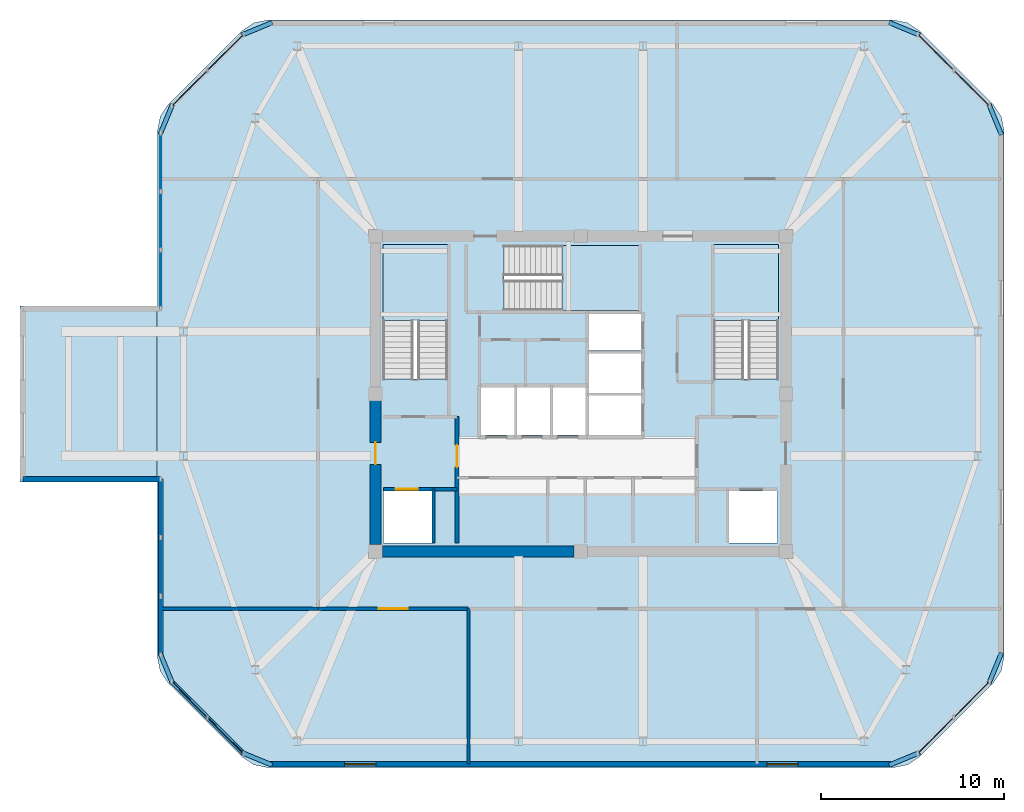
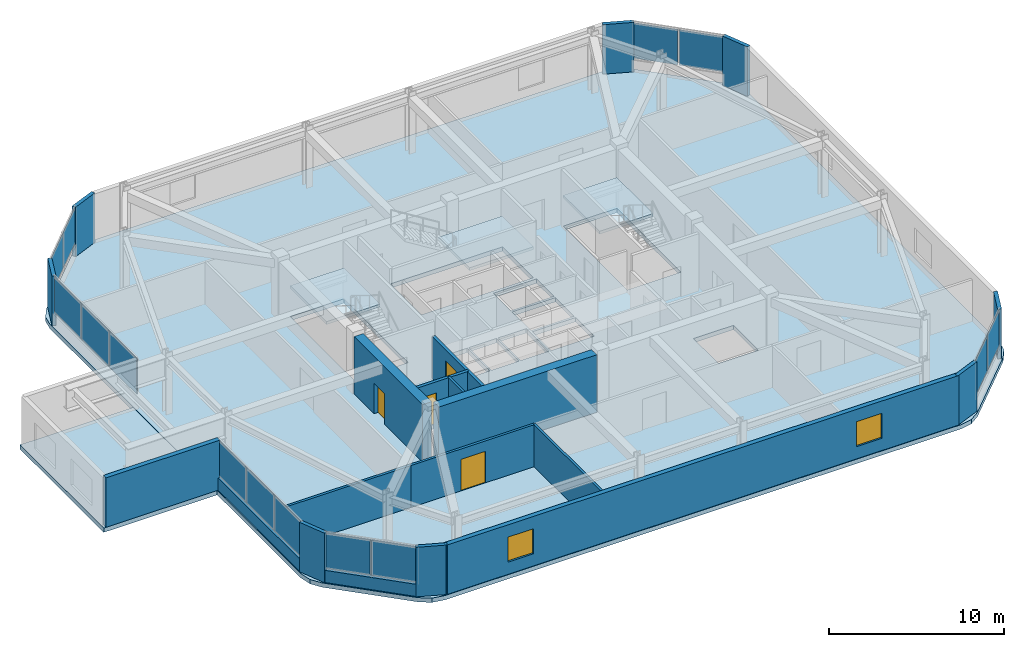
# One storey, part 5 of 9: 22 plates, 12 walls, 5 slabs, 4 doors, 2 windows, 6 openings, 9 elements without a shape of their own.
"""IFC4 building model written with IfcOpenShell, lengths in metres."""

from ifc_helpers import new_model, si_unit, derived_unit, direction, frame, frame_2d, origin, origin_2d, place, context, subcontext, project, spatial, polyline, rectangle, outline, extrude, material, layer, layer_set, type_object, element, fill, aggregate, save


model = new_model("IFC4")

# Units and contexts
model_context = context("Model", 3, precision=1e-05, world=origin(), true_north=direction((0.0, 1.0)))
body_context = subcontext(model_context, "Body", "Model", "MODEL_VIEW")
ifc_project = project(units=[si_unit("LENGTHUNIT", "METRE"), si_unit("AREAUNIT", "SQUARE_METRE"), si_unit("VOLUMEUNIT", "CUBIC_METRE"), si_unit("PLANEANGLEUNIT", "RADIAN"), si_unit("MASSUNIT", "GRAM", prefix="KILO"), derived_unit("THERMALTRANSMITTANCEUNIT", [(si_unit("POWERUNIT", "WATT"), 1), (si_unit("LENGTHUNIT", "METRE"), -2), (si_unit("THERMODYNAMICTEMPERATUREUNIT", "KELVIN"), -1)])], contexts=[model_context])

# Site, building, storey
site_placement = place(None, origin())
site = spatial("IfcSite", under=ifc_project, at=site_placement, CompositionType="ELEMENT")
building_placement = place(site_placement, origin())
building = spatial("IfcBuilding", under=site, at=building_placement, Name="Koralith Skygarden Medical Center", CompositionType="ELEMENT")
storey_placement = place(building_placement, frame((0.0, 0.0, 290.340087890625)))
storey = spatial("IfcBuildingStorey", under=building, at=storey_placement, Name="L75", CompositionType="ELEMENT", Elevation=290.340087890625)

# Curtain wall, plates
ifc_material_1 = material(Name="Clear Laminated Glass", Category="glass")
curtain_wall_type = type_object("IfcCurtainWallType", Name="CW-8 Crown Lookout Low-Iron Curtain Wall", PredefinedType="NOTDEFINED", material=ifc_material_1)
curtain_wall_1_placement = place(storey_placement, origin())
curtain_wall_1 = element("IfcCurtainWall", 1, at=curtain_wall_1_placement, inside=storey, type_object=curtain_wall_type, Name="Curtain Wall CW-L75-SE", PredefinedType="NOTDEFINED")
ifc_layer_1 = layer(ifc_material_1, 0.0439453125)
ifc_layer_set_1 = layer_set([ifc_layer_1], Name="Clear Laminated Glass")
plate_type_1 = type_object("IfcPlateType", Name="CW-8 Hurricane Laminated IGU Panel 44", PredefinedType="CURTAIN_PANEL", material=ifc_layer_set_1)
plate_1_placement = place(storey_placement, frame((56.376953125, 7.261962890625, 0.919921875), z_axis=(0.0, 0.0, 1.0), x_axis=(0.707106781187, 0.707106781187, 0.0)))
plate_1 = element("IfcPlate", 2, at=plate_1_placement, type_object=plate_type_1, Name="CW-L75-SE Glazed Panel 1", PredefinedType="CURTAIN_PANEL", context=body_context, shape_type="SweptSolid", body=[
    extrude(rectangle(XDim=2.68408203125, YDim=0.0439453125, at=origin_2d()), origin(), (0.0, 0.0, 1.0), 2.469970703125),
])
plate_2_placement = place(storey_placement, frame((58.337890625, 9.222900390625, 0.919921875), z_axis=(0.0, 0.0, 1.0), x_axis=(0.707106781187, 0.707106781187, 0.0)))
plate_2 = element("IfcPlate", 3, at=plate_2_placement, type_object=plate_type_1, Name="CW-L75-SE Glazed Panel 2", PredefinedType="CURTAIN_PANEL", context=body_context, shape_type="SweptSolid", body=[
    extrude(rectangle(XDim=2.68408203125, YDim=0.0439453125, at=origin_2d()), origin(), (0.0, 0.0, 1.0), 2.469970703125),
])
aggregate(curtain_wall_1, [plate_1, plate_2])

curtain_wall_2_placement = place(storey_placement, origin())
curtain_wall_2 = element("IfcCurtainWall", 4, at=curtain_wall_2_placement, inside=storey, type_object=curtain_wall_type, Name="Curtain Wall CW-L75-NE", PredefinedType="NOTDEFINED")
plate_3_placement = place(storey_placement, frame((58.337890625, 42.576904296875, 0.919921875), z_axis=(0.0, 0.0, 1.0), x_axis=(-0.707106781187, 0.707106781187, 0.0)))
plate_3 = element("IfcPlate", 5, at=plate_3_placement, type_object=plate_type_1, Name="CW-L75-NE Glazed Panel 1", PredefinedType="CURTAIN_PANEL", context=body_context, shape_type="SweptSolid", body=[
    extrude(rectangle(XDim=2.68408203125, YDim=0.0439453125, at=origin_2d()), origin(), (0.0, 0.0, 1.0), 2.469970703125),
])
plate_4_placement = place(storey_placement, frame((56.376953125, 44.5380859375, 0.919921875), z_axis=(0.0, 0.0, 1.0), x_axis=(-0.707106781187, 0.707106781187, 0.0)))
plate_4 = element("IfcPlate", 6, at=plate_4_placement, type_object=plate_type_1, Name="CW-L75-NE Glazed Panel 2", PredefinedType="CURTAIN_PANEL", context=body_context, shape_type="SweptSolid", body=[
    extrude(rectangle(XDim=2.68408203125, YDim=0.0439453125, at=origin_2d()), origin(), (0.0, 0.0, 1.0), 2.469970703125),
])
aggregate(curtain_wall_2, [plate_3, plate_4])

curtain_wall_3_placement = place(storey_placement, origin())
curtain_wall_3 = element("IfcCurtainWall", 7, at=curtain_wall_3_placement, inside=storey, type_object=curtain_wall_type, Name="Curtain Wall CW-L75-NW", PredefinedType="NOTDEFINED")
plate_5_placement = place(storey_placement, frame((17.623046875, 44.5380859375, 0.919921875), z_axis=(0.0, 0.0, 1.0), x_axis=(-0.707106781187, -0.707106781187, 0.0)))
plate_5 = element("IfcPlate", 8, at=plate_5_placement, type_object=plate_type_1, Name="CW-L75-NW Glazed Panel 1", PredefinedType="CURTAIN_PANEL", context=body_context, shape_type="SweptSolid", body=[
    extrude(rectangle(XDim=2.68408203125, YDim=0.0439453125, at=origin_2d()), origin(), (0.0, 0.0, 1.0), 2.469970703125),
])
plate_6_placement = place(storey_placement, frame((15.662109375, 42.576904296875, 0.919921875), z_axis=(0.0, 0.0, 1.0), x_axis=(-0.707106781187, -0.707106781187, 0.0)))
plate_6 = element("IfcPlate", 9, at=plate_6_placement, type_object=plate_type_1, Name="CW-L75-NW Glazed Panel 2", PredefinedType="CURTAIN_PANEL", context=body_context, shape_type="SweptSolid", body=[
    extrude(rectangle(XDim=2.68408203125, YDim=0.0439453125, at=origin_2d()), origin(), (0.0, 0.0, 1.0), 2.469970703125),
])
aggregate(curtain_wall_3, [plate_5, plate_6])

curtain_wall_4_placement = place(storey_placement, origin())
curtain_wall_4 = element("IfcCurtainWall", 10, at=curtain_wall_4_placement, inside=storey, type_object=curtain_wall_type, Name="Curtain Wall CW-L75-W-N", PredefinedType="NOTDEFINED")
plate_7_placement = place(storey_placement, frame((14.080078125, 38.5458984375, 0.919921875), z_axis=(0.0, 0.0, 1.0), x_axis=(0.0, -1.0, 0.0)))
plate_7 = element("IfcPlate", 11, at=plate_7_placement, type_object=plate_type_1, Name="CW-L75-W-N Glazed Panel 1", PredefinedType="CURTAIN_PANEL", context=body_context, shape_type="SweptSolid", body=[
    extrude(rectangle(XDim=3.10791015625, YDim=0.0439453125, at=origin_2d()), origin(), (0.0, 0.0, 1.0), 2.469970703125),
])
plate_8_placement = place(storey_placement, frame((14.080078125, 35.347900390625, 0.919921875), z_axis=(0.0, 0.0, 1.0), x_axis=(0.0, -1.0, 0.0)))
plate_8 = element("IfcPlate", 12, at=plate_8_placement, type_object=plate_type_1, Name="CW-L75-W-N Glazed Panel 2", PredefinedType="CURTAIN_PANEL", context=body_context, shape_type="SweptSolid", body=[
    extrude(rectangle(XDim=3.10791015625, YDim=0.0439453125, at=origin_2d()), origin(), (0.0, 0.0, 1.0), 2.469970703125),
])
plate_9_placement = place(storey_placement, frame((14.080078125, 32.14892578125, 0.919921875), z_axis=(0.0, 0.0, 1.0), x_axis=(0.0, -1.0, 0.0)))
plate_9 = element("IfcPlate", 13, at=plate_9_placement, type_object=plate_type_1, Name="CW-L75-W-N Glazed Panel 3", PredefinedType="CURTAIN_PANEL", context=body_context, shape_type="SweptSolid", body=[
    extrude(rectangle(XDim=3.10791015625, YDim=0.0439453125, at=origin_2d()), origin(), (0.0, 0.0, 1.0), 2.469970703125),
])
aggregate(curtain_wall_4, [plate_7, plate_8, plate_9])

curtain_wall_5_placement = place(storey_placement, origin())
curtain_wall_5 = element("IfcCurtainWall", 14, at=curtain_wall_5_placement, inside=storey, type_object=curtain_wall_type, Name="Curtain Wall CW-L75-W-S", PredefinedType="NOTDEFINED")
plate_10_placement = place(storey_placement, frame((14.080078125, 19.65087890625, 0.919921875), z_axis=(0.0, 0.0, 1.0), x_axis=(0.0, -1.0, 0.0)))
plate_10 = element("IfcPlate", 15, at=plate_10_placement, type_object=plate_type_1, Name="CW-L75-W-S Glazed Panel 1", PredefinedType="CURTAIN_PANEL", context=body_context, shape_type="SweptSolid", body=[
    extrude(rectangle(XDim=3.10791015625, YDim=0.0439453125, at=origin_2d()), origin(), (0.0, 0.0, 1.0), 2.469970703125),
])
plate_11_placement = place(storey_placement, frame((14.080078125, 16.452880859375, 0.919921875), z_axis=(0.0, 0.0, 1.0), x_axis=(0.0, -1.0, 0.0)))
plate_11 = element("IfcPlate", 16, at=plate_11_placement, type_object=plate_type_1, Name="CW-L75-W-S Glazed Panel 2", PredefinedType="CURTAIN_PANEL", context=body_context, shape_type="SweptSolid", body=[
    extrude(rectangle(XDim=3.10791015625, YDim=0.0439453125, at=origin_2d()), origin(), (0.0, 0.0, 1.0), 2.469970703125),
])
plate_12_placement = place(storey_placement, frame((14.080078125, 13.25390625, 0.919921875), z_axis=(0.0, 0.0, 1.0), x_axis=(0.0, -1.0, 0.0)))
plate_12 = element("IfcPlate", 17, at=plate_12_placement, type_object=plate_type_1, Name="CW-L75-W-S Glazed Panel 3", PredefinedType="CURTAIN_PANEL", context=body_context, shape_type="SweptSolid", body=[
    extrude(rectangle(XDim=3.10791015625, YDim=0.0439453125, at=origin_2d()), origin(), (0.0, 0.0, 1.0), 2.469970703125),
])
aggregate(curtain_wall_5, [plate_10, plate_11, plate_12])

curtain_wall_6_placement = place(storey_placement, origin())
curtain_wall_6 = element("IfcCurtainWall", 18, at=curtain_wall_6_placement, inside=storey, type_object=curtain_wall_type, Name="Curtain Wall CW-L75-SW", PredefinedType="NOTDEFINED")
plate_13_placement = place(storey_placement, frame((15.662109375, 9.222900390625, 0.919921875), z_axis=(0.0, 0.0, 1.0), x_axis=(0.707106781187, -0.707106781187, 0.0)))
plate_13 = element("IfcPlate", 19, at=plate_13_placement, type_object=plate_type_1, Name="CW-L75-SW Glazed Panel 1", PredefinedType="CURTAIN_PANEL", context=body_context, shape_type="SweptSolid", body=[
    extrude(rectangle(XDim=2.68408203125, YDim=0.0439453125, at=origin_2d()), origin(), (0.0, 0.0, 1.0), 2.469970703125),
])
plate_14_placement = place(storey_placement, frame((17.623046875, 7.261962890625, 0.919921875), z_axis=(0.0, 0.0, 1.0), x_axis=(0.707106781187, -0.707106781187, 0.0)))
plate_14 = element("IfcPlate", 20, at=plate_14_placement, type_object=plate_type_1, Name="CW-L75-SW Glazed Panel 2", PredefinedType="CURTAIN_PANEL", context=body_context, shape_type="SweptSolid", body=[
    extrude(rectangle(XDim=2.68408203125, YDim=0.0439453125, at=origin_2d()), origin(), (0.0, 0.0, 1.0), 2.469970703125),
])
aggregate(curtain_wall_6, [plate_13, plate_14])

# Stair, slab
ifc_material_2 = material(Name="Concrete C45/55", Category="concrete")
stair_type = type_object("IfcStairType", Name="Core Exit Dogleg Concrete Stair", PredefinedType="HALF_TURN_STAIR", material=ifc_material_2)
stair_1_placement = place(storey_placement, origin())
stair_1 = element("IfcStair", 21, at=stair_1_placement, inside=storey, type_object=stair_type, Name="L75 Smokeproof Exit Stair ST1", PredefinedType="HALF_TURN_STAIR")
ifc_layer_2 = layer(ifc_material_2, 0.199951171875)
ifc_layer_set_2 = layer_set([ifc_layer_2], Name="Concrete C45/55")
slab_type_1 = type_object("IfcSlabType", Name="Core Exit Concrete Stair Landing 200", PredefinedType="LANDING", material=ifc_layer_set_2)
slab_1_placement = place(storey_placement, frame((0.0, 0.0, 1.9599609375)))
slab_1 = element("IfcSlab", 22, at=slab_1_placement, type_object=slab_type_1, Name="ST1 landing 1", PredefinedType="LANDING", context=body_context, shape_type="SweptSolid", body=[
    extrude(outline(polyline([(29.75, 29.889892578125), (29.75, 34.050048828125), (26.199951171875, 34.050048828125), (26.199951171875, 29.889892578125), (29.75, 29.889892578125)])), origin(), (0.0, 0.0, 1.0), 0.199951171875),
])
aggregate(stair_1, [slab_1])

stair_2_placement = place(storey_placement, origin())
stair_2 = element("IfcStair", 23, at=stair_2_placement, inside=storey, type_object=stair_type, Name="L75 Smokeproof Exit Stair ST2", PredefinedType="HALF_TURN_STAIR")
slab_2_placement = place(storey_placement, frame((0.0, 0.0, 1.9599609375)))
slab_2 = element("IfcSlab", 24, at=slab_2_placement, type_object=slab_type_1, Name="ST2 landing 1", PredefinedType="LANDING", context=body_context, shape_type="SweptSolid", body=[
    extrude(outline(polyline([(47.800048828125, 29.889892578125), (47.800048828125, 34.050048828125), (44.25, 34.050048828125), (44.25, 29.889892578125), (47.800048828125, 29.889892578125)])), origin(), (0.0, 0.0, 1.0), 0.199951171875),
])
aggregate(stair_2, [slab_2])

stair_3_placement = place(storey_placement, origin())
stair_3 = element("IfcStair", 25, at=stair_3_placement, inside=storey, type_object=stair_type, Name="L75 Smokeproof Exit Stair ST3", PredefinedType="HALF_TURN_STAIR")
slab_3_placement = place(storey_placement, frame((0.0, 0.0, 1.9599609375)))
slab_3 = element("IfcSlab", 26, at=slab_3_placement, type_object=slab_type_1, Name="ST3 landing 1", PredefinedType="LANDING", context=body_context, shape_type="SweptSolid", body=[
    extrude(outline(polyline([(35.989990234375, 30.449951171875), (40.199951171875, 30.449951171875), (40.199951171875, 34.0), (35.989990234375, 34.0), (35.989990234375, 30.449951171875)])), origin(), (0.0, 0.0, 1.0), 0.199951171875),
])
aggregate(stair_3, [slab_3])

# Slabs
ifc_layer_3 = layer(ifc_material_2, 0.300048828125)
ifc_layer_set_3 = layer_set([ifc_layer_3], Name="Concrete C45/55")
slab_type_2 = type_object("IfcSlabType", Name="Podium & Diagnostic Stiffened Slab 300", PredefinedType="FLOOR", material=ifc_layer_set_3)
slab_4_placement = place(storey_placement, frame((0.0, 0.0, -0.300048828125)))
element("IfcSlab", 27, at=slab_4_placement, inside=storey, type_object=slab_type_2, Name="Level L75 Structural Floor Slab", PredefinedType="FLOOR", context=body_context, shape_type="SweptSolid", body=[
    extrude(outline(polyline([(18.513916015625, 6.0859375), (19.1630859375, 5.652099609375), (19.927978515625, 5.5), (54.072021484375, 5.5), (54.8369140625, 5.652099609375), (55.486083984375, 6.0859375), (59.513916015625, 10.114013671875), (59.947998046875, 10.762939453125), (60.10009765625, 11.528076171875), (60.10009765625, 40.27197265625), (59.947998046875, 41.037109375), (59.513916015625, 41.68603515625), (55.486083984375, 45.714111328125), (54.8369140625, 46.14794921875), (54.072021484375, 46.300048828125), (19.927978515625, 46.300048828125), (19.1630859375, 46.14794921875), (18.513916015625, 45.714111328125), (14.486083984375, 41.68603515625), (14.052001953125, 41.037109375), (13.89990234375, 40.27197265625), (13.89990234375, 11.528076171875), (14.052001953125, 10.762939453125), (14.486083984375, 10.114013671875), (18.513916015625, 6.0859375)]), holes=[polyline([(26.199951171875, 26.705078125), (29.75, 26.705078125), (29.75, 34.050048828125), (26.199951171875, 34.050048828125), (26.199951171875, 26.705078125)]), polyline([(44.25, 26.705078125), (47.800048828125, 26.705078125), (47.800048828125, 34.050048828125), (44.25, 34.050048828125), (44.25, 26.705078125)]), polyline([(32.804931640625, 30.449951171875), (40.199951171875, 30.449951171875), (40.199951171875, 34.0), (32.804931640625, 34.0), (32.804931640625, 30.449951171875)]), polyline([(26.25, 17.75), (28.89990234375, 17.75), (28.89990234375, 20.60009765625), (26.25, 20.60009765625), (26.25, 17.75)]), polyline([(45.10009765625, 17.75), (47.75, 17.75), (47.75, 20.60009765625), (45.10009765625, 20.60009765625), (45.10009765625, 17.75)]), polyline([(31.550048828125, 23.64990234375), (33.39990234375, 23.64990234375), (33.39990234375, 26.25), (31.550048828125, 26.25), (31.550048828125, 23.64990234375)]), polyline([(33.5, 23.64990234375), (35.35009765625, 23.64990234375), (35.35009765625, 26.25), (33.5, 26.25), (33.5, 23.64990234375)]), polyline([(35.449951171875, 23.64990234375), (37.300048828125, 23.64990234375), (37.300048828125, 26.25), (35.449951171875, 26.25), (35.449951171875, 23.64990234375)]), polyline([(37.449951171875, 23.64990234375), (40.300048828125, 23.64990234375), (40.300048828125, 25.800048828125), (37.449951171875, 25.800048828125), (37.449951171875, 23.64990234375)]), polyline([(37.449951171875, 25.949951171875), (40.300048828125, 25.949951171875), (40.300048828125, 28.10009765625), (37.449951171875, 28.10009765625), (37.449951171875, 25.949951171875)]), polyline([(37.449951171875, 28.25), (40.300048828125, 28.25), (40.300048828125, 30.25), (37.449951171875, 30.25), (37.449951171875, 28.25)])]), origin(), (0.0, 0.0, 1.0), 0.300048828125),
])
slab_5_placement = place(storey_placement, frame((0.0, 0.0, -0.300048828125)))
element("IfcSlab", 28, at=slab_5_placement, inside=storey, type_object=slab_type_2, Name="L75 Cantilevered Family Recovery Lounge Slab", PredefinedType="FLOOR", context=body_context, shape_type="SweptSolid", body=[
    extrude(outline(polyline([(6.39990234375, 21.10009765625), (13.8798828125, 21.10009765625), (13.8798828125, 30.699951171875), (6.39990234375, 30.699951171875), (6.39990234375, 21.10009765625)])), origin(), (0.0, 0.0, 1.0), 0.300048828125),
])

# Plates
ifc_material_3 = material(Name="Warm Oolitic Limestone Cladding", Category="masonry")
ifc_layer_4 = layer(ifc_material_3, 0.239990234375)
ifc_layer_set_4 = layer_set([ifc_layer_4], Name="Warm Oolitic Limestone Cladding")
plate_type_2 = type_object("IfcPlateType", Name="Rounded-Corner Oolitic Limestone Cladding Panel 240", PredefinedType="USERDEFINED", material=ifc_layer_set_4)
for number, where, z_axis, x_axis, name in (
    (29, (54.6708984375, 5.97998046875, 0.0), (0.0, 0.0, 1.0), (0.92388487569, 0.382670532536, 0.0), "L75 Rounded-Corner Limestone Pier 1"),
    (30, (59.6201171875, 10.929931640625, 0.0), (0.0, 0.0, 1.0), (0.382670532536, 0.92388487569, 0.0), "L75 Rounded-Corner Limestone Pier 2"),
    (31, (59.6201171875, 40.8701171875, 0.0), (0.0, 0.0, 1.0), (-0.382670532536, 0.92388487569, 0.0), "L75 Rounded-Corner Limestone Pier 3"),
    (32, (54.6708984375, 45.819091796875, 0.0), (0.0, 0.0, 1.0), (-0.92388487569, 0.382670532536, 0.0), "L75 Rounded-Corner Limestone Pier 4"),
    (33, (19.3291015625, 45.819091796875, 0.0), (0.0, 0.0, 1.0), (-0.92388487569, -0.382670532536, 0.0), "L75 Rounded-Corner Limestone Pier 5"),
    (34, (14.3798828125, 40.8701171875, 0.0), (0.0, 0.0, 1.0), (-0.382670532536, -0.92388487569, 0.0), "L75 Rounded-Corner Limestone Pier 6"),
    (35, (14.3798828125, 10.929931640625, 0.0), (0.0, 0.0, 1.0), (0.382670532536, -0.92388487569, 0.0), "L75 Rounded-Corner Limestone Pier 7"),
    (36, (19.3291015625, 5.97998046875, 0.0), (0.0, 0.0, 1.0), (0.92388487569, -0.382670532536, 0.0), "L75 Rounded-Corner Limestone Pier 8"),
):
    element("IfcPlate", number, at=place(storey_placement, frame(where, z_axis=z_axis, x_axis=x_axis)), inside=storey, type_object=plate_type_2, Name=name, ObjectType="LIMESTONE CLADDING", PredefinedType="USERDEFINED", context=body_context, shape_type="SweptSolid", body=[
        extrude(rectangle(XDim=1.81103515625, YDim=0.239990234375, at=origin_2d()), origin(), (0.0, 0.0, 1.0), 3.4599609375),
    ])

# Walls
ifc_material_4 = material(Name="Gypsum Board Partition")
ifc_layer_5 = layer(ifc_material_4, 0.14990234375)
ifc_layer_set_5 = layer_set([ifc_layer_5], Name="Gypsum Board Partition")
wall_type_1 = type_object("IfcWallType", Name="Clinical Acoustic Partition 150", PredefinedType="PARTITIONING", material=ifc_layer_set_5)
wall_1_placement = place(storey_placement, frame((30.8740234375, 14.169921875, 0.0), z_axis=(0.0, 0.0, 1.0), x_axis=(0.0, -1.0, 0.0)))
element("IfcWall", 37, at=wall_1_placement, inside=storey, type_object=wall_type_1, Name="L75 Clinical Acoustic Partition 150 W-CRPART-L75-S-1", PredefinedType="PARTITIONING", context=body_context, shape_type="SweptSolid", body=[
    extrude(rectangle(XDim=8.469970703125, YDim=0.14990234375, at=frame_2d((4.23486328125, 0.0))), origin(), (0.0, 0.0, 1.0), 2.929931640625),
])
ifc_layer_6 = layer(ifc_material_4, 0.1650390625)
ifc_layer_set_6 = layer_set([ifc_layer_6], Name="Gypsum Board Partition")
wall_type_2 = type_object("IfcWallType", Name="Clinical Corridor Partition 165", PredefinedType="PARTITIONING", material=ifc_layer_set_6)
wall_2_placement = place(storey_placement, frame((14.10009765625, 14.169921875, 0.0), z_axis=(0.0, 0.0, 1.0), x_axis=(1.0, 0.0, 0.0)))
element("IfcWall", 38, at=wall_2_placement, inside=storey, type_object=wall_type_2, Name="L75 Clinical Corridor Partition 165 W-WB-L75-SW", PredefinedType="PARTITIONING", context=body_context, shape_type="SweptSolid", body=[
    extrude(rectangle(XDim=8.56982421875, YDim=0.1650390625, at=frame_2d((4.284912109375, 0.0))), origin(), (0.0, 0.0, 1.0), 2.929931640625),
])

# Wall, opening, door
wall_3_placement = place(storey_placement, frame((22.669921875, 14.169921875, 0.0), z_axis=(0.0, 0.0, 1.0), x_axis=(1.0, 0.0, 0.0)))
wall_3 = element("IfcWall", 39, at=wall_3_placement, inside=storey, type_object=wall_type_2, Name="L75 Clinical Corridor Partition 165 W-CRCOR-L75-S-1", PredefinedType="PARTITIONING", context=body_context, shape_type="SweptSolid", body=[
    extrude(rectangle(XDim=8.2041015625, YDim=0.1650390625, at=frame_2d((4.10205078125, 0.0))), origin(), (0.0, 0.0, 1.0), 2.929931640625),
])
opening_1_placement = place(wall_3_placement, frame((3.302001953125, 0.0, 0.0)))
opening_1 = element("IfcOpeningElement", 40, at=opening_1_placement, cuts=wall_3, Name="Opening D-DBL", PredefinedType="OPENING", context=body_context, shape_type="SweptSolid", body=[
    extrude(rectangle(XDim=1.60009765625, YDim=2.199951171875, at=frame_2d((0.800048828125, 1.10009765625))), frame((0.0, 0.092529296875, 0.0), z_axis=(0.0, -1.0, 0.0), x_axis=(1.0, 0.0, 0.0)), (0.0, 0.0, 1.0), 0.18505859375),
])
ifc_material_5 = material(Name="Aluminium 6063-T6", Category="aluminium")
door_type_1 = type_object("IfcDoorType", Name="Double Clinical Suite Door D-DBL 1600", OperationType="NOTDEFINED", PredefinedType="DOOR", material=ifc_material_5)
door_1_placement = place(opening_1_placement, frame((1.60009765625, 0.0, 0.0), z_axis=(0.0, 0.0, 1.0), x_axis=(-1.0, 0.0, 0.0)))
door_1 = element("IfcDoor", 41, at=door_1_placement, inside=storey, type_object=door_type_1, Name="L75 Interfaith Chapel and Meditation Sanctuary Door", OperationType="DOUBLE_DOOR_SINGLE_SWING", OverallHeight=2.199951171875, OverallWidth=1.60009765625, PredefinedType="DOOR", context=body_context, shape_type="SweptSolid", body=[
    extrude(rectangle(XDim=1.60009765625, YDim=2.199951171875, at=frame_2d((0.800048828125, 1.10009765625))), frame((0.0, 0.02490234375, 0.0), z_axis=(0.0, -1.0, 0.0), x_axis=(1.0, 0.0, 0.0)), (0.0, 0.0, 1.0), 0.050048828125),
])
fill(opening_1, door_1)

ifc_layer_7 = layer(ifc_material_4, 0.199951171875)
ifc_layer_set_7 = layer_set([ifc_layer_7], Name="Gypsum Board Partition")
wall_type_3 = type_object("IfcWallType", Name="Fire Shaft Wall 200", PredefinedType="SOLIDWALL", material=ifc_layer_set_7)
wall_4_placement = place(storey_placement, frame((26.25, 20.699951171875, 0.0), z_axis=(0.0, 0.0, 1.0), x_axis=(1.0, 0.0, 0.0)))
wall_4 = element("IfcWall", 42, at=wall_4_placement, inside=storey, type_object=wall_type_3, Name="L75 Fire Shaft Wall 200 W-CORE-L75-FF1-N", PredefinedType="SOLIDWALL", context=body_context, shape_type="SweptSolid", body=[
    extrude(rectangle(XDim=4.0, YDim=0.199951171875, at=frame_2d((2.0, 0.0))), origin(), (0.0, 0.0, 1.0), 2.929931640625),
])
opening_2_placement = place(wall_4_placement, frame((0.64990234375, 0.0, 0.0)))
opening_2 = element("IfcOpeningElement", 43, at=opening_2_placement, cuts=wall_4, Name="Opening LD-FF", PredefinedType="OPENING", context=body_context, shape_type="SweptSolid", body=[
    extrude(rectangle(XDim=1.199951171875, YDim=2.14990234375, at=frame_2d((0.60009765625, 1.074951171875))), frame((0.0, 0.10986328125, 0.0), z_axis=(0.0, -1.0, 0.0), x_axis=(1.0, 0.0, 0.0)), (0.0, 0.0, 1.0), 0.219970703125),
])
ifc_material_6 = material(Name="Steel ASTM A500 Grade C", Category="steel")
door_type_2 = type_object("IfcDoorType", Name="Fire Lift Sliding Landing Door LD-FF 1200", OperationType="NOTDEFINED", PredefinedType="DOOR", material=ifc_material_6)
door_2_placement = place(opening_2_placement, origin())
door_2 = element("IfcDoor", 44, at=door_2_placement, inside=storey, type_object=door_type_2, Name="L75 Fire Service Elevator FF1 Landing Door", OperationType="SLIDING_TO_LEFT", OverallHeight=2.14990234375, OverallWidth=1.199951171875, PredefinedType="DOOR", context=body_context, shape_type="SweptSolid", body=[
    extrude(rectangle(XDim=1.199951171875, YDim=2.14990234375, at=frame_2d((0.60009765625, 1.074951171875))), frame((0.0, 0.02490234375, 0.0), z_axis=(0.0, -1.0, 0.0), x_axis=(1.0, 0.0, 0.0)), (0.0, 0.0, 1.0), 0.050048828125),
])
fill(opening_2, door_2)

wall_5_placement = place(storey_placement, frame((30.25, 17.75, 0.0), z_axis=(0.0, 0.0, 1.0), x_axis=(0.0, 1.0, 0.0)))
wall_5 = element("IfcWall", 45, at=wall_5_placement, inside=storey, type_object=wall_type_3, Name="L75 Fire Shaft Wall 200 W-CORE-L75-FSAEW-E", PredefinedType="SOLIDWALL", context=body_context, shape_type="SweptSolid", body=[
    extrude(rectangle(XDim=6.89990234375, YDim=0.199951171875, at=frame_2d((3.449951171875, 0.0))), origin(), (0.0, 0.0, 1.0), 2.929931640625),
])
opening_3_placement = place(wall_5_placement, frame((4.14990234375, 0.0, 0.0)))
opening_3 = element("IfcOpeningElement", 46, at=opening_3_placement, cuts=wall_5, Name="Opening D-ST60", PredefinedType="OPENING", context=body_context, shape_type="SweptSolid", body=[
    extrude(rectangle(XDim=1.199951171875, YDim=2.14990234375, at=frame_2d((0.60009765625, 1.074951171875))), frame((0.0, 0.10986328125, 0.0), z_axis=(0.0, -1.0, 0.0), x_axis=(1.0, 0.0, 0.0)), (0.0, 0.0, 1.0), 0.219970703125),
])
door_type_3 = type_object("IfcDoorType", Name="Smokeproof Stair Fire Door FD60S 1200", OperationType="NOTDEFINED", PredefinedType="DOOR", material=ifc_material_6)
door_3_placement = place(opening_3_placement, origin())
door_3 = element("IfcDoor", 47, at=door_3_placement, inside=storey, type_object=door_type_3, Name="L75 West Firefighting Lobby Inner Fire Door", OperationType="SINGLE_SWING_LEFT", OverallHeight=2.14990234375, OverallWidth=1.199951171875, PredefinedType="DOOR", context=body_context, shape_type="SweptSolid", body=[
    extrude(rectangle(XDim=1.199951171875, YDim=2.14990234375, at=frame_2d((0.60009765625, 1.074951171875))), frame((0.0, 0.02490234375, 0.0), z_axis=(0.0, -1.0, 0.0), x_axis=(1.0, 0.0, 0.0)), (0.0, 0.0, 1.0), 0.050048828125),
])
fill(opening_3, door_3)

# Walls
ifc_layer_8 = layer(ifc_material_3, 0.239990234375)
ifc_layer_set_8 = layer_set([ifc_layer_8], Name="Warm Oolitic Limestone Cladding")
wall_type_4 = type_object("IfcWallType", Name="Limestone Spandrel Sill Backup Wall 240", PredefinedType="SOLIDWALL", material=ifc_layer_set_8)
wall_6_placement = place(storey_placement, frame((14.080078125, 21.25, 0.0), z_axis=(0.0, 0.0, 1.0), x_axis=(0.0, -1.0, 0.0)))
element("IfcWall", 48, at=wall_6_placement, inside=storey, type_object=wall_type_4, Name="L75 West Flanking Sill Spandrel S", PredefinedType="SOLIDWALL", context=body_context, shape_type="SweptSolid", body=[
    extrude(rectangle(XDim=9.594970703125, YDim=0.239990234375, at=frame_2d((4.79736328125, 0.0))), origin(), (0.0, 0.0, 1.0), 0.849853515625),
])
wall_7_placement = place(storey_placement, frame((14.680908203125, 10.2041015625, 0.0), z_axis=(0.0, 0.0, 1.0), x_axis=(0.707106781187, -0.707106781187, 0.0)))
element("IfcWall", 49, at=wall_7_placement, inside=storey, type_object=wall_type_4, Name="L75 Sill Spandrel SW", PredefinedType="SOLIDWALL", context=body_context, shape_type="SweptSolid", body=[
    extrude(rectangle(XDim=5.548095703125, YDim=0.239990234375, at=frame_2d((2.77392578125, 0.0))), origin(), (0.0, 0.0, 1.0), 0.849853515625),
])

# Wall, openings, windows
ifc_layer_9 = layer(ifc_material_3, 0.300048828125)
ifc_layer_set_9 = layer_set([ifc_layer_9], Name="Warm Oolitic Limestone Cladding")
wall_type_5 = type_object("IfcWallType", Name="Oolitic Limestone Insulated Facade Wall 300", PredefinedType="SOLIDWALL", material=ifc_layer_set_9)
wall_8_placement = place(storey_placement, frame((20.054931640625, 5.679931640625, 0.0), z_axis=(0.0, 0.0, 1.0), x_axis=(1.0, 0.0, 0.0)))
wall_8 = element("IfcWall", 50, at=wall_8_placement, inside=storey, type_object=wall_type_5, Name="L75 Crown Limestone Wall S", PredefinedType="SOLIDWALL", context=body_context, shape_type="SweptSolid", body=[
    extrude(rectangle(XDim=33.89013671875, YDim=0.300048828125, at=frame_2d((16.945068359375, 0.0))), origin(), (0.0, 0.0, 1.0), 3.4599609375),
])
opening_4_placement = place(wall_8_placement, frame((4.06689453125, 0.0, 0.85009765625)))
opening_4 = element("IfcOpeningElement", 51, at=opening_4_placement, cuts=wall_8, Name="Opening W-09", PredefinedType="OPENING", context=body_context, shape_type="SweptSolid", body=[
    extrude(rectangle(XDim=1.699951171875, YDim=1.75, at=frame_2d((0.85009765625, 0.875))), frame((0.0, 0.159912109375, 0.0), z_axis=(0.0, -1.0, 0.0), x_axis=(1.0, 0.0, 0.0)), (0.0, 0.0, 1.0), 0.320068359375),
])
opening_5_placement = place(wall_8_placement, frame((27.111083984375, 0.0, 0.85009765625)))
opening_5 = element("IfcOpeningElement", 52, at=opening_5_placement, cuts=wall_8, Name="Opening W-09", PredefinedType="OPENING", context=body_context, shape_type="SweptSolid", body=[
    extrude(rectangle(XDim=1.699951171875, YDim=1.75, at=frame_2d((0.85009765625, 0.875))), frame((0.0, 0.159912109375, 0.0), z_axis=(0.0, -1.0, 0.0), x_axis=(1.0, 0.0, 0.0)), (0.0, 0.0, 1.0), 0.320068359375),
])
window_type = type_object("IfcWindowType", Name="Observation Conservatory Window W-09 1700x1750", PartitioningType="SINGLE_PANEL", PredefinedType="WINDOW", material=ifc_material_1)
window_1_placement = place(opening_4_placement, origin())
window_1 = element("IfcWindow", 53, at=window_1_placement, inside=storey, type_object=window_type, Name="L75 S Crown Window 1", OverallHeight=1.75, OverallWidth=1.699951171875, PartitioningType="SINGLE_PANEL", PredefinedType="WINDOW", context=body_context, shape_type="SweptSolid", body=[
    extrude(rectangle(XDim=1.699951171875, YDim=1.75, at=frame_2d((0.85009765625, 0.875))), frame((0.0, 0.030029296875, 0.0), z_axis=(0.0, -1.0, 0.0), x_axis=(1.0, 0.0, 0.0)), (0.0, 0.0, 1.0), 0.06005859375),
])
fill(opening_4, window_1)
window_2_placement = place(opening_5_placement, origin())
window_2 = element("IfcWindow", 54, at=window_2_placement, inside=storey, type_object=window_type, Name="L75 S Crown Window 2", OverallHeight=1.75, OverallWidth=1.699951171875, PartitioningType="SINGLE_PANEL", PredefinedType="WINDOW", context=body_context, shape_type="SweptSolid", body=[
    extrude(rectangle(XDim=1.699951171875, YDim=1.75, at=frame_2d((0.85009765625, 0.875))), frame((0.0, 0.030029296875, 0.0), z_axis=(0.0, -1.0, 0.0), x_axis=(1.0, 0.0, 0.0)), (0.0, 0.0, 1.0), 0.06005859375),
])
fill(opening_5, window_2)

# Walls
wall_9_placement = place(storey_placement, frame((6.550048828125, 21.25, 0.0), z_axis=(0.0, 0.0, 1.0), x_axis=(1.0, 0.0, 0.0)))
element("IfcWall", 55, at=wall_9_placement, inside=storey, type_object=wall_type_5, Name="L75 Cantilever Lounge South Wall", PredefinedType="SOLIDWALL", context=body_context, shape_type="SweptSolid", body=[
    extrude(rectangle(XDim=7.530029296875, YDim=0.300048828125, at=frame_2d((3.76513671875, 0.0))), origin(), (0.0, 0.0, 1.0), 3.4599609375),
])
ifc_layer_10 = layer(ifc_material_4, 0.14990234375)
ifc_layer_set_10 = layer_set([ifc_layer_10], Name="Gypsum Board Partition")
wall_type_6 = type_object("IfcWallType", Name="Shaft Partition Wall 150", PredefinedType="PARTITIONING", material=ifc_layer_set_10)
wall_10_placement = place(storey_placement, frame((28.969970703125, 17.75, 0.0), z_axis=(0.0, 0.0, 1.0), x_axis=(0.0, 1.0, 0.0)))
element("IfcWall", 56, at=wall_10_placement, inside=storey, type_object=wall_type_6, Name="L75 Shaft Partition Wall 150 W-CORE-L75-RSRW-DIV", PredefinedType="PARTITIONING", context=body_context, shape_type="SweptSolid", body=[
    extrude(rectangle(XDim=2.949951171875, YDim=0.14990234375, at=frame_2d((1.47509765625, 0.0))), origin(), (0.0, 0.0, 1.0), 2.929931640625),
])
ifc_material_7 = material(Name="Concrete C55/67", Category="concrete")
ifc_layer_11 = layer(ifc_material_7, 0.60009765625)
ifc_layer_set_11 = layer_set([ifc_layer_11], Name="Concrete C55/67")
wall_type_7 = type_object("IfcWallType", Name="Upper Core Shear Wall 600", PredefinedType="SHEAR", material=ifc_layer_set_11)
wall_11_placement = place(storey_placement, frame((26.175048828125, 17.300048828125, 0.0), z_axis=(0.0, 0.0, 1.0), x_axis=(1.0, 0.0, 0.0)))
element("IfcWall", 57, at=wall_11_placement, inside=storey, type_object=wall_type_7, Name="L75 Core Shear Wall Segment 1", PredefinedType="SHEAR", context=body_context, shape_type="SweptSolid", body=[
    extrude(rectangle(XDim=10.449951171875, YDim=0.60009765625, at=frame_2d((5.22509765625, 0.0))), origin(), (0.0, 0.0, 1.0), 4.02001953125),
])

# Wall, opening, door
wall_12_placement = place(storey_placement, frame((25.800048828125, 25.52490234375, 0.0), z_axis=(0.0, 0.0, 1.0), x_axis=(0.0, -1.0, 0.0)))
wall_12 = element("IfcWall", 58, at=wall_12_placement, inside=storey, type_object=wall_type_7, Name="L75 Core Shear Wall Segment 8", PredefinedType="SHEAR", context=body_context, shape_type="SweptSolid", body=[
    extrude(rectangle(XDim=7.849853515625, YDim=0.60009765625, at=frame_2d((3.9248046875, 0.0))), origin(), (0.0, 0.0, 1.0), 4.02001953125),
])
opening_6_placement = place(wall_12_placement, frame((2.27490234375, 0.0, 0.0)))
opening_6 = element("IfcOpeningElement", 59, at=opening_6_placement, cuts=wall_12, Name="Opening D-ST60", PredefinedType="OPENING", context=body_context, shape_type="SweptSolid", body=[
    extrude(rectangle(XDim=1.199951171875, YDim=2.14990234375, at=frame_2d((0.60009765625, 1.074951171875))), frame((0.0, 0.31005859375, 0.0), z_axis=(0.0, -1.0, 0.0), x_axis=(1.0, 0.0, 0.0)), (0.0, 0.0, 1.0), 0.6201171875),
])
door_4_placement = place(opening_6_placement, frame((1.199951171875, 0.0, 0.0), z_axis=(0.0, 0.0, 1.0), x_axis=(-1.0, 0.0, 0.0)))
door_4 = element("IfcDoor", 60, at=door_4_placement, inside=storey, type_object=door_type_3, Name="L75 West Corridor to Firefighting Lobby Door", OperationType="SINGLE_SWING_LEFT", OverallHeight=2.14990234375, OverallWidth=1.199951171875, PredefinedType="DOOR", context=body_context, shape_type="SweptSolid", body=[
    extrude(rectangle(XDim=1.199951171875, YDim=2.14990234375, at=frame_2d((0.60009765625, 1.074951171875))), frame((0.0, 0.02490234375, 0.0), z_axis=(0.0, -1.0, 0.0), x_axis=(1.0, 0.0, 0.0)), (0.0, 0.0, 1.0), 0.050048828125),
])
fill(opening_6, door_4)

save(model, "model.ifc")
